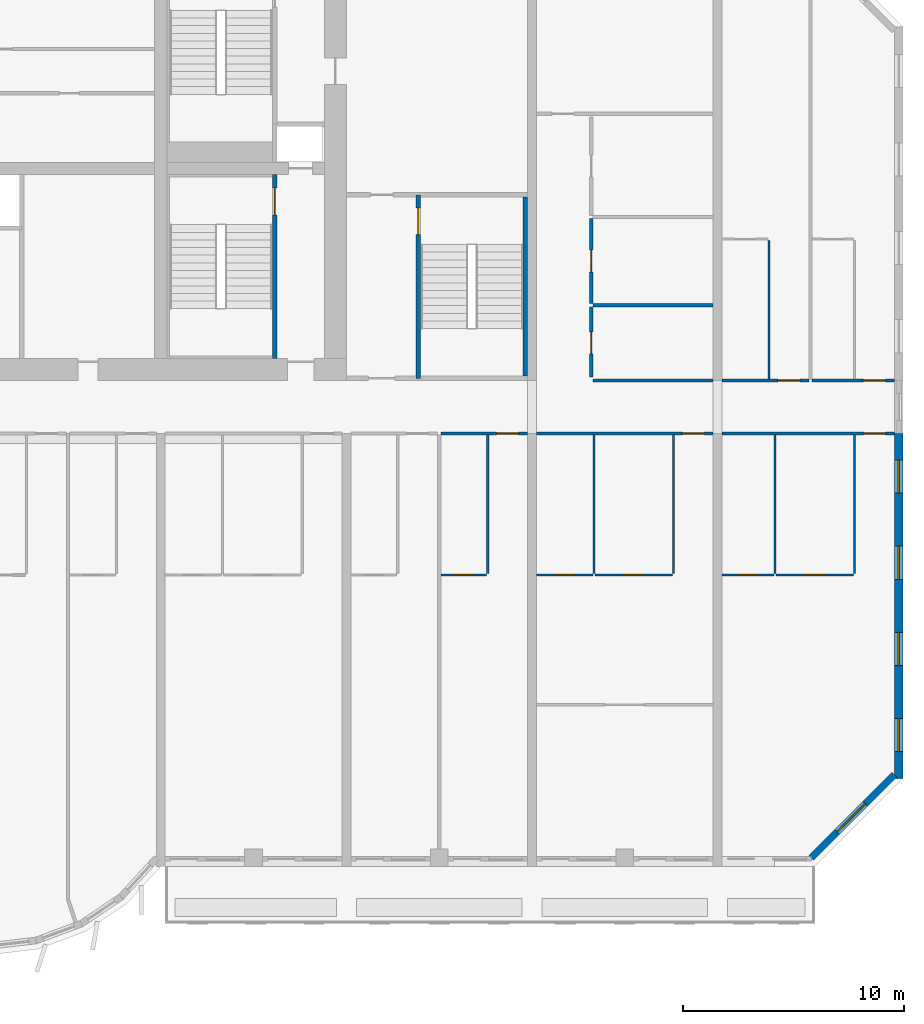
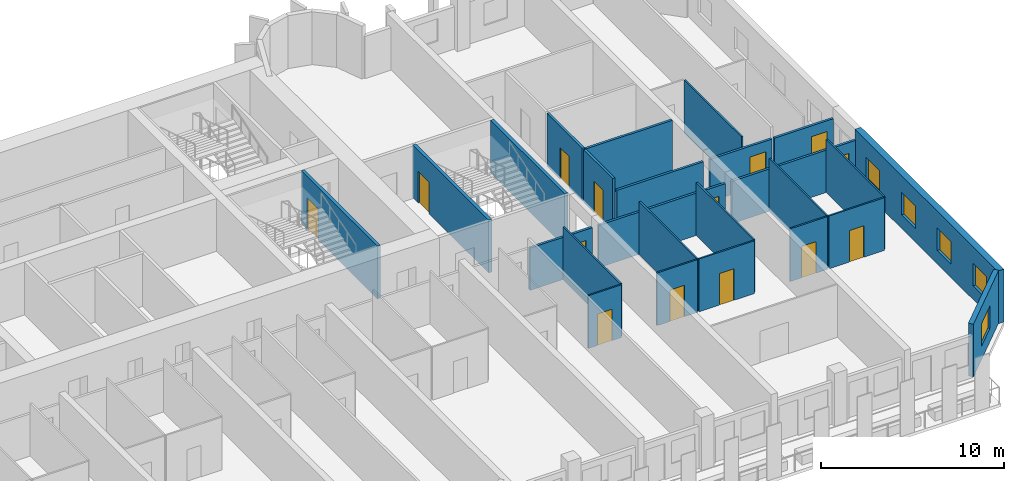
# One storey, part 9 of 15: 25 walls, 14 doors, 5 windows, 19 openings.
"""IFC4 building model written with IfcOpenShell, lengths in metres."""

from ifc_helpers import new_model, si_unit, direction, frame, frame_2d, origin, place, context, subcontext, project, spatial, rectangle, extrude, source, transform, mapped, material, layer, layer_set, type_object, element, fill, save


model = new_model("IFC4")

# Units and contexts
model_context = context("Model", 3, precision=1e-05, world=origin(), true_north=direction((0.0, 1.0)))
body_context = subcontext(model_context, "Body", "Model", "MODEL_VIEW")
ifc_project = project(units=[si_unit("LENGTHUNIT", "METRE"), si_unit("AREAUNIT", "SQUARE_METRE"), si_unit("VOLUMEUNIT", "CUBIC_METRE"), si_unit("PLANEANGLEUNIT", "RADIAN"), si_unit("MASSUNIT", "GRAM", prefix="KILO")], contexts=[model_context])

# Site, building, storey
site_placement = place(None, origin())
site = spatial("IfcSite", under=ifc_project, at=site_placement, CompositionType="ELEMENT")
building_placement = place(site_placement, origin())
building = spatial("IfcBuilding", under=site, at=building_placement, Name="Vanashikhar Sky Hotel", CompositionType="ELEMENT")
storey_placement = place(building_placement, frame((0.0, 0.0, 46.800048828125)))
storey = spatial("IfcBuildingStorey", under=building, at=storey_placement, Name="L10", CompositionType="ELEMENT", Elevation=46.800048828125)

# Wall, openings, windows
ifc_material_1 = material(Name="Concrete M80", Category="concrete")
ifc_layer_1 = layer(ifc_material_1, 0.39990234375)
ifc_layer_set_1 = layer_set([ifc_layer_1], Name="RC shear wall 400 Concrete M80")
wall_type_1 = type_object("IfcWallType", Name="RC shear wall 400 Concrete M80", PredefinedType="SHEAR", material=ifc_layer_set_1)
shared_shape_1 = source(origin(), body_context, "Body", "SweptSolid", [
    extrude(rectangle(XDim=15.60009765625, YDim=0.39990234375, at=frame_2d((7.800048828125, 0.0))), origin(), (0.0, 0.0, 1.0), 3.52001953125),
])
wall_1_placement = place(storey_placement, frame((100.60009765625, 4.0, 0.0), z_axis=(0.0, 0.0, 1.0), x_axis=(0.0, 1.0, 0.0)))
wall_1 = element("IfcWall", 1, at=wall_1_placement, inside=storey, type_object=wall_type_1, Name="CW-L10-XW13-1", PredefinedType="SHEAR", context=body_context, shape_type="MappedRepresentation", body=[
    mapped(shared_shape_1, transform((0.0, 0.0, 0.0), scale=1.0)),
])
shared_shape_2 = source(origin(), body_context, "Body", "SweptSolid", [
    extrude(rectangle(XDim=1.5, YDim=1.5, at=frame_2d((0.75, 0.75))), frame((0.0, 0.2099609375, 0.0), z_axis=(0.0, -1.0, 0.0), x_axis=(1.0, 0.0, 0.0)), (0.0, 0.0, 1.0), 0.419921875),
])
opening_1_placement = place(wall_1_placement, frame((1.199951171875, 0.0, 0.89990234375)))
opening_1 = element("IfcOpeningElement", 2, at=opening_1_placement, cuts=wall_1, Name="Opening WN-1", PredefinedType="OPENING", context=body_context, shape_type="MappedRepresentation", body=[
    mapped(shared_shape_2, transform((0.0, 0.0, 0.0), scale=1.0)),
])
opening_2_placement = place(wall_1_placement, frame((5.10009765625, 0.0, 0.89990234375)))
opening_2 = element("IfcOpeningElement", 3, at=opening_2_placement, cuts=wall_1, Name="Opening WN-1", PredefinedType="OPENING", context=body_context, shape_type="MappedRepresentation", body=[
    mapped(shared_shape_2, transform((0.0, 0.0, 0.0), scale=1.0)),
])
opening_3_placement = place(wall_1_placement, frame((9.0, 0.0, 0.89990234375)))
opening_3 = element("IfcOpeningElement", 4, at=opening_3_placement, cuts=wall_1, Name="Opening WN-1", PredefinedType="OPENING", context=body_context, shape_type="MappedRepresentation", body=[
    mapped(shared_shape_2, transform((0.0, 0.0, 0.0), scale=1.0)),
])
opening_4_placement = place(wall_1_placement, frame((12.89990234375, 0.0, 0.89990234375)))
opening_4 = element("IfcOpeningElement", 5, at=opening_4_placement, cuts=wall_1, Name="Opening WN-1", PredefinedType="OPENING", context=body_context, shape_type="MappedRepresentation", body=[
    mapped(shared_shape_2, transform((0.0, 0.0, 0.0), scale=1.0)),
])
ifc_material_2 = material(Name="Glass", Category="glass")
window_type_1 = type_object("IfcWindowType", Name="Window 1500 x 1500", PartitioningType="SINGLE_PANEL", PredefinedType="WINDOW", material=ifc_material_2)
shared_shape_3 = source(origin(), body_context, "Body", "SweptSolid", [
    extrude(rectangle(XDim=1.5, YDim=1.5, at=frame_2d((0.75, 0.75))), frame((0.0, 0.030029296875, 0.0), z_axis=(0.0, -1.0, 0.0), x_axis=(1.0, 0.0, 0.0)), (0.0, 0.0, 1.0), 0.06005859375),
])
window_1_placement = place(opening_1_placement, origin())
window_1 = element("IfcWindow", 6, at=window_1_placement, inside=storey, type_object=window_type_1, Name="Window WN-1", OverallHeight=1.5, OverallWidth=1.5, PartitioningType="SINGLE_PANEL", PredefinedType="WINDOW", context=body_context, shape_type="MappedRepresentation", body=[
    mapped(shared_shape_3, transform((0.0, 0.0, 0.0), scale=1.0)),
])
fill(opening_1, window_1)
window_2_placement = place(opening_2_placement, origin())
window_2 = element("IfcWindow", 7, at=window_2_placement, inside=storey, type_object=window_type_1, Name="Window WN-1", OverallHeight=1.5, OverallWidth=1.5, PartitioningType="SINGLE_PANEL", PredefinedType="WINDOW", context=body_context, shape_type="MappedRepresentation", body=[
    mapped(shared_shape_3, transform((0.0, 0.0, 0.0), scale=1.0)),
])
fill(opening_2, window_2)
window_3_placement = place(opening_3_placement, origin())
window_3 = element("IfcWindow", 8, at=window_3_placement, inside=storey, type_object=window_type_1, Name="Window WN-1", OverallHeight=1.5, OverallWidth=1.5, PartitioningType="SINGLE_PANEL", PredefinedType="WINDOW", context=body_context, shape_type="MappedRepresentation", body=[
    mapped(shared_shape_3, transform((0.0, 0.0, 0.0), scale=1.0)),
])
fill(opening_3, window_3)
window_4_placement = place(opening_4_placement, origin())
window_4 = element("IfcWindow", 9, at=window_4_placement, inside=storey, type_object=window_type_1, Name="Window WN-1", OverallHeight=1.5, OverallWidth=1.5, PartitioningType="SINGLE_PANEL", PredefinedType="WINDOW", context=body_context, shape_type="MappedRepresentation", body=[
    mapped(shared_shape_3, transform((0.0, 0.0, 0.0), scale=1.0)),
])
fill(opening_4, window_4)

# Wall, opening, window
ifc_material_3 = material(Name="Concrete M50", Category="concrete")
ifc_layer_2 = layer(ifc_material_3, 0.300048828125)
ifc_layer_set_2 = layer_set([ifc_layer_2], Name="Lobe wall 300")
wall_type_2 = type_object("IfcWallType", Name="Lobe wall 300", PredefinedType="SOLIDWALL", material=ifc_layer_set_2)
shared_shape_4 = source(origin(), body_context, "Body", "SweptSolid", [
    extrude(rectangle(XDim=5.32568359375, YDim=0.300048828125, at=frame_2d((2.662841796875, 0.0))), origin(), (0.0, 0.0, 1.0), 3.52001953125),
])
wall_2_placement = place(storey_placement, frame((96.63427734375, 0.39990234375, 0.0), z_axis=(0.0, 0.0, 1.0), x_axis=(0.707083859269, 0.707129702361, 0.0)))
wall_2 = element("IfcWall", 10, at=wall_2_placement, inside=storey, type_object=wall_type_2, Name="Corner wall", PredefinedType="SOLIDWALL", context=body_context, shape_type="MappedRepresentation", body=[
    mapped(shared_shape_4, transform((0.0, 0.0, 0.0), scale=1.0)),
])
shared_shape_5 = source(origin(), body_context, "Body", "SweptSolid", [
    extrude(rectangle(XDim=1.800048828125, YDim=1.5, at=frame_2d((0.89990234375, 0.75))), frame((0.0, 0.16015625, 0.0), z_axis=(0.0, -1.0, 0.0), x_axis=(1.0, 0.0, 0.0)), (0.0, 0.0, 1.0), 0.320068359375),
])
opening_5_placement = place(wall_2_placement, frame((1.654296875, 0.0, 0.89990234375)))
opening_5 = element("IfcOpeningElement", 11, at=opening_5_placement, cuts=wall_2, Name="Opening WN-4", PredefinedType="OPENING", context=body_context, shape_type="MappedRepresentation", body=[
    mapped(shared_shape_5, transform((0.0, 0.0, 0.0), scale=1.0)),
])
window_type_2 = type_object("IfcWindowType", Name="Corner window 1800 x 1500", PartitioningType="SINGLE_PANEL", PredefinedType="WINDOW", material=ifc_material_2)
shared_shape_6 = source(origin(), body_context, "Body", "SweptSolid", [
    extrude(rectangle(XDim=1.800048828125, YDim=1.5, at=frame_2d((0.89990234375, 0.75))), frame((0.0, 0.030029296875, 0.0), z_axis=(0.0, -1.0, 0.0), x_axis=(1.0, 0.0, 0.0)), (0.0, 0.0, 1.0), 0.06005859375),
])
window_5_placement = place(opening_5_placement, origin())
window_5 = element("IfcWindow", 12, at=window_5_placement, inside=storey, type_object=window_type_2, Name="Window WN-4", OverallHeight=1.5, OverallWidth=1.800048828125, PartitioningType="SINGLE_PANEL", PredefinedType="WINDOW", context=body_context, shape_type="MappedRepresentation", body=[
    mapped(shared_shape_6, transform((0.0, 0.0, 0.0), scale=1.0)),
])
fill(opening_5, window_5)

# Wall, opening, door
ifc_layer_3 = layer(ifc_material_3, 0.199951171875)
ifc_layer_set_3 = layer_set([ifc_layer_3], Name="Stair wall 200")
wall_type_3 = type_object("IfcWallType", Name="Stair wall 200", PredefinedType="SOLIDWALL", material=ifc_layer_set_3)
shared_shape_7 = source(origin(), body_context, "Body", "SweptSolid", [
    extrude(rectangle(XDim=8.2998046875, YDim=0.199951171875, at=frame_2d((4.14990234375, 0.0))), origin(), (0.0, 0.0, 1.0), 3.52001953125),
])
wall_3_placement = place(storey_placement, frame((78.85009765625, 22.10009765625, 0.0), z_axis=(0.0, 0.0, 1.0), x_axis=(0.0, 1.0, 0.0)))
wall_3 = element("IfcWall", 13, at=wall_3_placement, inside=storey, type_object=wall_type_3, Name="Stair wall 200", PredefinedType="SOLIDWALL", context=body_context, shape_type="MappedRepresentation", body=[
    mapped(shared_shape_7, transform((0.0, 0.0, 0.0), scale=1.0)),
])
shared_shape_8 = source(origin(), body_context, "Body", "SweptSolid", [
    extrude(rectangle(XDim=1.199951171875, YDim=2.10009765625, at=frame_2d((0.60009765625, 1.050048828125))), frame((0.0, 0.10986328125, 0.0), z_axis=(0.0, -1.0, 0.0), x_axis=(1.0, 0.0, 0.0)), (0.0, 0.0, 1.0), 0.219970703125),
])
opening_6_placement = place(wall_3_placement, frame((6.5, 0.0, 0.0)))
opening_6 = element("IfcOpeningElement", 14, at=opening_6_placement, cuts=wall_3, Name="Opening DC-1", PredefinedType="OPENING", context=body_context, shape_type="MappedRepresentation", body=[
    mapped(shared_shape_8, transform((0.0, 0.0, 0.0), scale=1.0)),
])
ifc_material_4 = material(Name="Steel", Category="steel")
door_type_1 = type_object("IfcDoorType", Name="Stair door 1200 FD120", OperationType="NOTDEFINED", PredefinedType="DOOR", material=ifc_material_4)
shared_shape_9 = source(origin(), body_context, "Body", "SweptSolid", [
    extrude(rectangle(XDim=1.199951171875, YDim=2.10009765625, at=frame_2d((0.60009765625, 1.050048828125))), frame((0.0, 0.02490234375, 0.0), z_axis=(0.0, -1.0, 0.0), x_axis=(1.0, 0.0, 0.0)), (0.0, 0.0, 1.0), 0.050048828125),
])
door_1_placement = place(opening_6_placement, origin())
door_1 = element("IfcDoor", 15, at=door_1_placement, inside=storey, type_object=door_type_1, Name="Stair door 1200 FD120", OperationType="SINGLE_SWING_LEFT", OverallHeight=2.10009765625, OverallWidth=1.199951171875, PredefinedType="DOOR", context=body_context, shape_type="MappedRepresentation", body=[
    mapped(shared_shape_9, transform((0.0, 0.0, 0.0), scale=1.0)),
])
fill(opening_6, door_1)

shared_shape_10 = source(origin(), body_context, "Body", "SweptSolid", [
    extrude(rectangle(XDim=8.324951171875, YDim=0.199951171875, at=frame_2d((4.16259765625, 0.0))), origin(), (0.0, 0.0, 1.0), 3.52001953125),
])
wall_4_placement = place(storey_placement, frame((72.35009765625, 23.0, 0.0), z_axis=(0.0, 0.0, 1.0), x_axis=(0.0, 1.0, 0.0)))
wall_4 = element("IfcWall", 16, at=wall_4_placement, inside=storey, type_object=wall_type_3, Name="Stair wall 200", PredefinedType="SOLIDWALL", context=body_context, shape_type="MappedRepresentation", body=[
    mapped(shared_shape_10, transform((0.0, 0.0, 0.0), scale=1.0)),
])
opening_7_placement = place(wall_4_placement, frame((6.5, 0.0, 0.0)))
opening_7 = element("IfcOpeningElement", 17, at=opening_7_placement, cuts=wall_4, Name="Opening DC-1", PredefinedType="OPENING", context=body_context, shape_type="MappedRepresentation", body=[
    mapped(shared_shape_8, transform((0.0, 0.0, 0.0), scale=1.0)),
])
door_2_placement = place(opening_7_placement, origin())
door_2 = element("IfcDoor", 18, at=door_2_placement, inside=storey, type_object=door_type_1, Name="Stair door 1200 FD120", OperationType="SINGLE_SWING_RIGHT", OverallHeight=2.10009765625, OverallWidth=1.199951171875, PredefinedType="DOOR", context=body_context, shape_type="MappedRepresentation", body=[
    mapped(shared_shape_9, transform((0.0, 0.0, 0.0), scale=1.0)),
])
fill(opening_7, door_2)

# Wall
ifc_layer_4 = layer(ifc_material_3, 0.199951171875)
ifc_layer_set_4 = layer_set([ifc_layer_4], Name="Stair infill wall 200")
wall_type_4 = type_object("IfcWallType", Name="Stair infill wall 200", PredefinedType="SOLIDWALL", material=ifc_layer_set_4)
shared_shape_11 = source(origin(), body_context, "Body", "SweptSolid", [
    extrude(rectangle(XDim=8.10009765625, YDim=0.199951171875, at=frame_2d((4.050048828125, 0.0))), origin(), (0.0, 0.0, 1.0), 3.52001953125),
])
wall_5_placement = place(storey_placement, frame((83.699951171875, 22.199951171875, 0.0), z_axis=(0.0, 0.0, 1.0), x_axis=(0.0, 1.0, 0.0)))
element("IfcWall", 19, at=wall_5_placement, inside=storey, type_object=wall_type_4, Name="Stair infill wall 200", PredefinedType="SOLIDWALL", context=body_context, shape_type="MappedRepresentation", body=[
    mapped(shared_shape_11, transform((0.0, 0.0, 0.0), scale=1.0)),
])

# Wall, opening, door
ifc_material_5 = material(Name="Gypsum plasterboard partition")
ifc_layer_5 = layer(ifc_material_5, 0.10009765625)
ifc_layer_set_5 = layer_set([ifc_layer_5], Name="Wet room partition 100")
wall_type_5 = type_object("IfcWallType", Name="Wet room partition 100", PredefinedType="PARTITIONING", material=ifc_layer_set_5)
shared_shape_12 = source(origin(), body_context, "Body", "SweptSolid", [
    extrude(rectangle(XDim=3.5, YDim=0.10009765625, at=frame_2d((1.75, 0.0))), origin(), (0.0, 0.0, 1.0), 3.52001953125),
])
wall_6_placement = place(storey_placement, frame((86.85009765625, 13.199951171875, 0.0), z_axis=(0.0, 0.0, 1.0), x_axis=(1.0, 0.0, 0.0)))
wall_6 = element("IfcWall", 20, at=wall_6_placement, inside=storey, type_object=wall_type_5, Name="W-L10-PW059", PredefinedType="PARTITIONING", context=body_context, shape_type="MappedRepresentation", body=[
    mapped(shared_shape_12, transform((0.0, 0.0, 0.0), scale=1.0)),
])
shared_shape_13 = source(origin(), body_context, "Body", "SweptSolid", [
    extrude(rectangle(XDim=0.89990234375, YDim=2.10009765625, at=frame_2d((0.449951171875, 1.050048828125))), frame((0.0, 0.06005859375, 0.0), z_axis=(0.0, -1.0, 0.0), x_axis=(1.0, 0.0, 0.0)), (0.0, 0.0, 1.0), 0.1201171875),
])
opening_8_placement = place(wall_6_placement, frame((1.300048828125, 0.0, 0.0)))
opening_8 = element("IfcOpeningElement", 21, at=opening_8_placement, cuts=wall_6, Name="Opening D-02", PredefinedType="OPENING", context=body_context, shape_type="MappedRepresentation", body=[
    mapped(shared_shape_13, transform((0.0, 0.0, 0.0), scale=1.0)),
])
ifc_material_6 = material(Name="Timber door", Category="wood")
door_type_2 = type_object("IfcDoorType", Name="Internal door 900", OperationType="NOTDEFINED", PredefinedType="DOOR", material=ifc_material_6)
shared_shape_14 = source(origin(), body_context, "Body", "SweptSolid", [
    extrude(rectangle(XDim=0.89990234375, YDim=2.10009765625, at=frame_2d((0.449951171875, 1.050048828125))), frame((0.0, 0.02490234375, 0.0), z_axis=(0.0, -1.0, 0.0), x_axis=(1.0, 0.0, 0.0)), (0.0, 0.0, 1.0), 0.050048828125),
])
door_3_placement = place(opening_8_placement, origin())
door_3 = element("IfcDoor", 22, at=door_3_placement, inside=storey, type_object=door_type_2, Name="D-L10-034", OperationType="SINGLE_SWING_RIGHT", OverallHeight=2.10009765625, OverallWidth=0.89990234375, PredefinedType="DOOR", context=body_context, shape_type="MappedRepresentation", body=[
    mapped(shared_shape_14, transform((0.0, 0.0, 0.0), scale=1.0)),
])
fill(opening_8, door_3)

wall_7_placement = place(storey_placement, frame((95.050048828125, 13.199951171875, 0.0), z_axis=(0.0, 0.0, 1.0), x_axis=(1.0, 0.0, 0.0)))
wall_7 = element("IfcWall", 23, at=wall_7_placement, inside=storey, type_object=wall_type_5, Name="W-L10-PW065", PredefinedType="PARTITIONING", context=body_context, shape_type="MappedRepresentation", body=[
    mapped(shared_shape_12, transform((0.0, 0.0, 0.0), scale=1.0)),
])
opening_9_placement = place(wall_7_placement, frame((1.300048828125, 0.0, 0.0)))
opening_9 = element("IfcOpeningElement", 24, at=opening_9_placement, cuts=wall_7, Name="Opening D-02", PredefinedType="OPENING", context=body_context, shape_type="MappedRepresentation", body=[
    mapped(shared_shape_13, transform((0.0, 0.0, 0.0), scale=1.0)),
])
door_4_placement = place(opening_9_placement, origin())
door_4 = element("IfcDoor", 25, at=door_4_placement, inside=storey, type_object=door_type_2, Name="D-L10-038", OperationType="SINGLE_SWING_RIGHT", OverallHeight=2.10009765625, OverallWidth=0.89990234375, PredefinedType="DOOR", context=body_context, shape_type="MappedRepresentation", body=[
    mapped(shared_shape_14, transform((0.0, 0.0, 0.0), scale=1.0)),
])
fill(opening_9, door_4)

# Walls
shared_shape_15 = source(origin(), body_context, "Body", "SweptSolid", [
    extrude(rectangle(XDim=6.25, YDim=0.10009765625, at=frame_2d((3.125, 0.0))), origin(), (0.0, 0.0, 1.0), 3.52001953125),
])
for number, where, z_axis, x_axis, name in (
    (26, (82.0, 13.27490234375, 0.0), (0.0, 0.0, 1.0), (0.0, 1.0, 0.0), "W-L10-PW053"),
    (27, (90.39990234375, 13.27490234375, 0.0), (0.0, 0.0, 1.0), (0.0, 1.0, 0.0), "W-L10-PW057"),
    (28, (86.800048828125, 13.27490234375, 0.0), (0.0, 0.0, 1.0), (0.0, 1.0, 0.0), "W-L10-PW058"),
    (29, (98.60009765625, 13.27490234375, 0.0), (0.0, 0.0, 1.0), (0.0, 1.0, 0.0), "W-L10-PW063"),
    (30, (95.0, 13.27490234375, 0.0), (0.0, 0.0, 1.0), (0.0, 1.0, 0.0), "W-L10-PW064"),
    (31, (94.72509765625, 22.074951171875, 0.0), (0.0, 0.0, 1.0), (0.0, 1.0, 0.0), "W-L10-PW089"),
):
    element("IfcWall", number, at=place(storey_placement, frame(where, z_axis=z_axis, x_axis=x_axis)), inside=storey, type_object=wall_type_5, Name=name, PredefinedType="PARTITIONING", context=body_context, shape_type="MappedRepresentation", body=[
        mapped(shared_shape_15, transform((0.0, 0.0, 0.0), scale=1.0)),
    ])

# Wall, opening, door
ifc_layer_6 = layer(ifc_material_5, 0.14990234375)
ifc_layer_set_6 = layer_set([ifc_layer_6], Name="Corridor and demising partition 150")
wall_type_6 = type_object("IfcWallType", Name="Corridor and demising partition 150", PredefinedType="PARTITIONING", material=ifc_layer_set_6)
shared_shape_16 = source(origin(), body_context, "Body", "SweptSolid", [
    extrude(rectangle(XDim=3.175048828125, YDim=0.14990234375, at=frame_2d((1.58740234375, 0.0))), origin(), (0.0, 0.0, 1.0), 3.52001953125),
])
wall_8_placement = place(storey_placement, frame((86.675048828125, 22.14990234375, 0.0), z_axis=(0.0, 0.0, 1.0), x_axis=(0.0, 1.0, 0.0)))
wall_8 = element("IfcWall", 32, at=wall_8_placement, inside=storey, type_object=wall_type_6, Name="W-L10-PW083", PredefinedType="PARTITIONING", context=body_context, shape_type="MappedRepresentation", body=[
    mapped(shared_shape_16, transform((0.0, 0.0, 0.0), scale=1.0)),
])
shared_shape_17 = source(origin(), body_context, "Body", "SweptSolid", [
    extrude(rectangle(XDim=1.0, YDim=2.10009765625, at=frame_2d((0.5, 1.050048828125))), frame((0.0, 0.0849609375, 0.0), z_axis=(0.0, -1.0, 0.0), x_axis=(1.0, 0.0, 0.0)), (0.0, 0.0, 1.0), 0.169921875),
])
opening_10_placement = place(wall_8_placement, frame((1.050048828125, 0.0, 0.0)))
opening_10 = element("IfcOpeningElement", 33, at=opening_10_placement, cuts=wall_8, Name="Opening D-01", PredefinedType="OPENING", context=body_context, shape_type="MappedRepresentation", body=[
    mapped(shared_shape_17, transform((0.0, 0.0, 0.0), scale=1.0)),
])
ifc_material_7 = material(Name="Timber fire door", Category="wood")
door_type_3 = type_object("IfcDoorType", Name="Guest entry door 1000 FD30S", OperationType="NOTDEFINED", PredefinedType="DOOR", material=ifc_material_7)
shared_shape_18 = source(origin(), body_context, "Body", "SweptSolid", [
    extrude(rectangle(XDim=1.0, YDim=2.10009765625, at=frame_2d((0.5, 1.050048828125))), frame((0.0, 0.02490234375, 0.0), z_axis=(0.0, -1.0, 0.0), x_axis=(1.0, 0.0, 0.0)), (0.0, 0.0, 1.0), 0.050048828125),
])
door_5_placement = place(opening_10_placement, origin())
door_5 = element("IfcDoor", 34, at=door_5_placement, inside=storey, type_object=door_type_3, Name="D-L10-048", OperationType="SINGLE_SWING_LEFT", OverallHeight=2.10009765625, OverallWidth=1.0, PredefinedType="DOOR", context=body_context, shape_type="MappedRepresentation", body=[
    mapped(shared_shape_18, transform((0.0, 0.0, 0.0), scale=1.0)),
])
fill(opening_10, door_5)

shared_shape_19 = source(origin(), body_context, "Body", "SweptSolid", [
    extrude(rectangle(XDim=3.849853515625, YDim=0.14990234375, at=frame_2d((1.9248046875, 0.0))), origin(), (0.0, 0.0, 1.0), 3.52001953125),
])
wall_9_placement = place(storey_placement, frame((86.675048828125, 25.47509765625, 0.0), z_axis=(0.0, 0.0, 1.0), x_axis=(0.0, 1.0, 0.0)))
wall_9 = element("IfcWall", 35, at=wall_9_placement, inside=storey, type_object=wall_type_6, Name="W-L10-PW085", PredefinedType="PARTITIONING", context=body_context, shape_type="MappedRepresentation", body=[
    mapped(shared_shape_19, transform((0.0, 0.0, 0.0), scale=1.0)),
])
opening_11_placement = place(wall_9_placement, frame((1.425048828125, 0.0, 0.0)))
opening_11 = element("IfcOpeningElement", 36, at=opening_11_placement, cuts=wall_9, Name="Opening D-01", PredefinedType="OPENING", context=body_context, shape_type="MappedRepresentation", body=[
    mapped(shared_shape_17, transform((0.0, 0.0, 0.0), scale=1.0)),
])
door_6_placement = place(opening_11_placement, origin())
door_6 = element("IfcDoor", 37, at=door_6_placement, inside=storey, type_object=door_type_3, Name="D-L10-049", OperationType="SINGLE_SWING_LEFT", OverallHeight=2.10009765625, OverallWidth=1.0, PredefinedType="DOOR", context=body_context, shape_type="MappedRepresentation", body=[
    mapped(shared_shape_18, transform((0.0, 0.0, 0.0), scale=1.0)),
])
fill(opening_11, door_6)

shared_shape_20 = source(origin(), body_context, "Body", "SweptSolid", [
    extrude(rectangle(XDim=2.349853515625, YDim=0.10009765625, at=frame_2d((1.1748046875, 0.0))), origin(), (0.0, 0.0, 1.0), 3.52001953125),
])
wall_10_placement = place(storey_placement, frame((92.60009765625, 13.199951171875, 0.0), z_axis=(0.0, 0.0, 1.0), x_axis=(1.0, 0.0, 0.0)))
wall_10 = element("IfcWall", 38, at=wall_10_placement, inside=storey, type_object=wall_type_5, Name="W-L10-PW066", PredefinedType="PARTITIONING", context=body_context, shape_type="MappedRepresentation", body=[
    mapped(shared_shape_20, transform((0.0, 0.0, 0.0), scale=1.0)),
])
opening_12_placement = place(wall_10_placement, frame((0.72509765625, 0.0, 0.0)))
opening_12 = element("IfcOpeningElement", 39, at=opening_12_placement, cuts=wall_10, Name="Opening D-02", PredefinedType="OPENING", context=body_context, shape_type="MappedRepresentation", body=[
    mapped(shared_shape_13, transform((0.0, 0.0, 0.0), scale=1.0)),
])
door_7_placement = place(opening_12_placement, origin())
door_7 = element("IfcDoor", 40, at=door_7_placement, inside=storey, type_object=door_type_2, Name="D-L10-039", OperationType="SINGLE_SWING_RIGHT", OverallHeight=2.10009765625, OverallWidth=0.89990234375, PredefinedType="DOOR", context=body_context, shape_type="MappedRepresentation", body=[
    mapped(shared_shape_14, transform((0.0, 0.0, 0.0), scale=1.0)),
])
fill(opening_12, door_7)

shared_shape_21 = source(origin(), body_context, "Body", "SweptSolid", [
    extrude(rectangle(XDim=2.074951171875, YDim=0.10009765625, at=frame_2d((1.03759765625, 0.0))), origin(), (0.0, 0.0, 1.0), 3.52001953125),
])
wall_11_placement = place(storey_placement, frame((79.875, 13.199951171875, 0.0), z_axis=(0.0, 0.0, 1.0), x_axis=(1.0, 0.0, 0.0)))
wall_11 = element("IfcWall", 41, at=wall_11_placement, inside=storey, type_object=wall_type_5, Name="W-L10-PW054", PredefinedType="PARTITIONING", context=body_context, shape_type="MappedRepresentation", body=[
    mapped(shared_shape_21, transform((0.0, 0.0, 0.0), scale=1.0)),
])
opening_13_placement = place(wall_11_placement, frame((0.5869140625, 0.0, 0.0)))
opening_13 = element("IfcOpeningElement", 42, at=opening_13_placement, cuts=wall_11, Name="Opening D-02", PredefinedType="OPENING", context=body_context, shape_type="MappedRepresentation", body=[
    mapped(shared_shape_13, transform((0.0, 0.0, 0.0), scale=1.0)),
])
door_8_placement = place(opening_13_placement, origin())
door_8 = element("IfcDoor", 43, at=door_8_placement, inside=storey, type_object=door_type_2, Name="D-L10-032", OperationType="SINGLE_SWING_RIGHT", OverallHeight=2.10009765625, OverallWidth=0.89990234375, PredefinedType="DOOR", context=body_context, shape_type="MappedRepresentation", body=[
    mapped(shared_shape_14, transform((0.0, 0.0, 0.0), scale=1.0)),
])
fill(opening_13, door_8)

shared_shape_22 = source(origin(), body_context, "Body", "SweptSolid", [
    extrude(rectangle(XDim=3.9248046875, YDim=0.14990234375, at=frame_2d((1.96240234375, 0.0))), origin(), (0.0, 0.0, 1.0), 2.820068359375),
])
wall_12_placement = place(storey_placement, frame((92.60009765625, 22.0, 0.0), z_axis=(0.0, 0.0, 1.0), x_axis=(1.0, 0.0, 0.0)))
wall_12 = element("IfcWall", 44, at=wall_12_placement, inside=storey, type_object=wall_type_6, Name="W-L10-PW091", PredefinedType="PARTITIONING", context=body_context, shape_type="MappedRepresentation", body=[
    mapped(shared_shape_22, transform((0.0, 0.0, 0.0), scale=1.0)),
])
opening_14_placement = place(wall_12_placement, frame((2.52490234375, 0.0, 0.0)))
opening_14 = element("IfcOpeningElement", 45, at=opening_14_placement, cuts=wall_12, Name="Opening D-01", PredefinedType="OPENING", context=body_context, shape_type="MappedRepresentation", body=[
    mapped(shared_shape_17, transform((0.0, 0.0, 0.0), scale=1.0)),
])
door_9_placement = place(opening_14_placement, origin())
door_9 = element("IfcDoor", 46, at=door_9_placement, inside=storey, type_object=door_type_3, Name="D-L10-053", OperationType="SINGLE_SWING_RIGHT", OverallHeight=2.10009765625, OverallWidth=1.0, PredefinedType="DOOR", context=body_context, shape_type="MappedRepresentation", body=[
    mapped(shared_shape_18, transform((0.0, 0.0, 0.0), scale=1.0)),
])
fill(opening_14, door_9)

shared_shape_23 = source(origin(), body_context, "Body", "SweptSolid", [
    extrude(rectangle(XDim=3.925048828125, YDim=0.14990234375, at=frame_2d((1.96240234375, 0.0))), origin(), (0.0, 0.0, 1.0), 2.820068359375),
])
wall_13_placement = place(storey_placement, frame((79.875, 19.60009765625, 0.0), z_axis=(0.0, 0.0, 1.0), x_axis=(1.0, 0.0, 0.0)))
wall_13 = element("IfcWall", 47, at=wall_13_placement, inside=storey, type_object=wall_type_6, Name="W-L10-PW055", PredefinedType="PARTITIONING", context=body_context, shape_type="MappedRepresentation", body=[
    mapped(shared_shape_23, transform((0.0, 0.0, 0.0), scale=1.0)),
])
opening_15_placement = place(wall_13_placement, frame((2.52490234375, 0.0, 0.0)))
opening_15 = element("IfcOpeningElement", 48, at=opening_15_placement, cuts=wall_13, Name="Opening D-01", PredefinedType="OPENING", context=body_context, shape_type="MappedRepresentation", body=[
    mapped(shared_shape_17, transform((0.0, 0.0, 0.0), scale=1.0)),
])
door_10_placement = place(opening_15_placement, origin())
door_10 = element("IfcDoor", 49, at=door_10_placement, inside=storey, type_object=door_type_3, Name="D-L10-033", OperationType="SINGLE_SWING_RIGHT", OverallHeight=2.10009765625, OverallWidth=1.0, PredefinedType="DOOR", context=body_context, shape_type="MappedRepresentation", body=[
    mapped(shared_shape_18, transform((0.0, 0.0, 0.0), scale=1.0)),
])
fill(opening_15, door_10)

shared_shape_24 = source(origin(), body_context, "Body", "SweptSolid", [
    extrude(rectangle(XDim=2.550048828125, YDim=0.10009765625, at=frame_2d((1.27490234375, 0.0))), origin(), (0.0, 0.0, 1.0), 3.52001953125),
])
wall_14_placement = place(storey_placement, frame((84.199951171875, 13.199951171875, 0.0), z_axis=(0.0, 0.0, 1.0), x_axis=(1.0, 0.0, 0.0)))
wall_14 = element("IfcWall", 50, at=wall_14_placement, inside=storey, type_object=wall_type_5, Name="W-L10-PW060", PredefinedType="PARTITIONING", context=body_context, shape_type="MappedRepresentation", body=[
    mapped(shared_shape_24, transform((0.0, 0.0, 0.0), scale=1.0)),
])
opening_16_placement = place(wall_14_placement, frame((0.824951171875, 0.0, 0.0)))
opening_16 = element("IfcOpeningElement", 51, at=opening_16_placement, cuts=wall_14, Name="Opening D-02", PredefinedType="OPENING", context=body_context, shape_type="MappedRepresentation", body=[
    mapped(shared_shape_13, transform((0.0, 0.0, 0.0), scale=1.0)),
])
door_11_placement = place(opening_16_placement, origin())
door_11 = element("IfcDoor", 52, at=door_11_placement, inside=storey, type_object=door_type_2, Name="D-L10-035", OperationType="SINGLE_SWING_RIGHT", OverallHeight=2.10009765625, OverallWidth=0.89990234375, PredefinedType="DOOR", context=body_context, shape_type="MappedRepresentation", body=[
    mapped(shared_shape_14, transform((0.0, 0.0, 0.0), scale=1.0)),
])
fill(opening_16, door_11)

shared_shape_25 = source(origin(), body_context, "Body", "SweptSolid", [
    extrude(rectangle(XDim=8.0, YDim=0.14990234375, at=frame_2d((4.0, 0.0))), origin(), (0.0, 0.0, 1.0), 2.820068359375),
])
wall_15_placement = place(storey_placement, frame((84.199951171875, 19.60009765625, 0.0), z_axis=(0.0, 0.0, 1.0), x_axis=(1.0, 0.0, 0.0)))
wall_15 = element("IfcWall", 53, at=wall_15_placement, inside=storey, type_object=wall_type_6, Name="W-L10-PW062", PredefinedType="PARTITIONING", context=body_context, shape_type="MappedRepresentation", body=[
    mapped(shared_shape_25, transform((0.0, 0.0, 0.0), scale=1.0)),
])
opening_17_placement = place(wall_15_placement, frame((6.60009765625, 0.0, 0.0)))
opening_17 = element("IfcOpeningElement", 54, at=opening_17_placement, cuts=wall_15, Name="Opening D-01", PredefinedType="OPENING", context=body_context, shape_type="MappedRepresentation", body=[
    mapped(shared_shape_17, transform((0.0, 0.0, 0.0), scale=1.0)),
])
door_12_placement = place(opening_17_placement, origin())
door_12 = element("IfcDoor", 55, at=door_12_placement, inside=storey, type_object=door_type_3, Name="D-L10-037", OperationType="SINGLE_SWING_RIGHT", OverallHeight=2.10009765625, OverallWidth=1.0, PredefinedType="DOOR", context=body_context, shape_type="MappedRepresentation", body=[
    mapped(shared_shape_18, transform((0.0, 0.0, 0.0), scale=1.0)),
])
fill(opening_17, door_12)

shared_shape_26 = source(origin(), body_context, "Body", "SweptSolid", [
    extrude(rectangle(XDim=7.7998046875, YDim=0.14990234375, at=frame_2d((3.89990234375, 0.0))), origin(), (0.0, 0.0, 1.0), 2.820068359375),
])
wall_16_placement = place(storey_placement, frame((92.60009765625, 19.60009765625, 0.0), z_axis=(0.0, 0.0, 1.0), x_axis=(1.0, 0.0, 0.0)))
wall_16 = element("IfcWall", 56, at=wall_16_placement, inside=storey, type_object=wall_type_6, Name="W-L10-PW067", PredefinedType="PARTITIONING", context=body_context, shape_type="MappedRepresentation", body=[
    mapped(shared_shape_26, transform((0.0, 0.0, 0.0), scale=1.0)),
])
opening_18_placement = place(wall_16_placement, frame((6.39990234375, 0.0, 0.0)))
opening_18 = element("IfcOpeningElement", 57, at=opening_18_placement, cuts=wall_16, Name="Opening D-01", PredefinedType="OPENING", context=body_context, shape_type="MappedRepresentation", body=[
    mapped(shared_shape_17, transform((0.0, 0.0, 0.0), scale=1.0)),
])
door_13_placement = place(opening_18_placement, origin())
door_13 = element("IfcDoor", 58, at=door_13_placement, inside=storey, type_object=door_type_3, Name="D-L10-040", OperationType="SINGLE_SWING_RIGHT", OverallHeight=2.10009765625, OverallWidth=1.0, PredefinedType="DOOR", context=body_context, shape_type="MappedRepresentation", body=[
    mapped(shared_shape_18, transform((0.0, 0.0, 0.0), scale=1.0)),
])
fill(opening_18, door_13)

# Walls
shared_shape_27 = source(origin(), body_context, "Body", "SweptSolid", [
    extrude(rectangle(XDim=5.449951171875, YDim=0.14990234375, at=frame_2d((2.72509765625, 0.0))), origin(), (0.0, 0.0, 1.0), 2.820068359375),
])
wall_17_placement = place(storey_placement, frame((86.75, 22.0, 0.0), z_axis=(0.0, 0.0, 1.0), x_axis=(1.0, 0.0, 0.0)))
element("IfcWall", 59, at=wall_17_placement, inside=storey, type_object=wall_type_6, Name="W-L10-PW082", PredefinedType="PARTITIONING", context=body_context, shape_type="MappedRepresentation", body=[
    mapped(shared_shape_27, transform((0.0, 0.0, 0.0), scale=1.0)),
])
shared_shape_28 = source(origin(), body_context, "Body", "SweptSolid", [
    extrude(rectangle(XDim=5.449951171875, YDim=0.14990234375, at=frame_2d((2.72509765625, 0.0))), origin(), (0.0, 0.0, 1.0), 3.52001953125),
])
wall_18_placement = place(storey_placement, frame((86.75, 25.39990234375, 0.0), z_axis=(0.0, 0.0, 1.0), x_axis=(1.0, 0.0, 0.0)))
element("IfcWall", 60, at=wall_18_placement, inside=storey, type_object=wall_type_6, Name="W-L10-PW084", PredefinedType="PARTITIONING", context=body_context, shape_type="MappedRepresentation", body=[
    mapped(shared_shape_28, transform((0.0, 0.0, 0.0), scale=1.0)),
])

# Wall, opening, door
shared_shape_29 = source(origin(), body_context, "Body", "SweptSolid", [
    extrude(rectangle(XDim=3.724853515625, YDim=0.14990234375, at=frame_2d((1.8623046875, 0.0))), origin(), (0.0, 0.0, 1.0), 2.820068359375),
])
wall_19_placement = place(storey_placement, frame((96.675048828125, 22.0, 0.0), z_axis=(0.0, 0.0, 1.0), x_axis=(1.0, 0.0, 0.0)))
wall_19 = element("IfcWall", 61, at=wall_19_placement, inside=storey, type_object=wall_type_6, Name="W-L10-PW094", PredefinedType="PARTITIONING", context=body_context, shape_type="MappedRepresentation", body=[
    mapped(shared_shape_29, transform((0.0, 0.0, 0.0), scale=1.0)),
])
opening_19_placement = place(wall_19_placement, frame((2.324951171875, 0.0, 0.0)))
opening_19 = element("IfcOpeningElement", 62, at=opening_19_placement, cuts=wall_19, Name="Opening D-01", PredefinedType="OPENING", context=body_context, shape_type="MappedRepresentation", body=[
    mapped(shared_shape_17, transform((0.0, 0.0, 0.0), scale=1.0)),
])
door_14_placement = place(opening_19_placement, origin())
door_14 = element("IfcDoor", 63, at=door_14_placement, inside=storey, type_object=door_type_3, Name="D-L10-055", OperationType="SINGLE_SWING_RIGHT", OverallHeight=2.10009765625, OverallWidth=1.0, PredefinedType="DOOR", context=body_context, shape_type="MappedRepresentation", body=[
    mapped(shared_shape_18, transform((0.0, 0.0, 0.0), scale=1.0)),
])
fill(opening_19, door_14)

save(model, "model.ifc")
